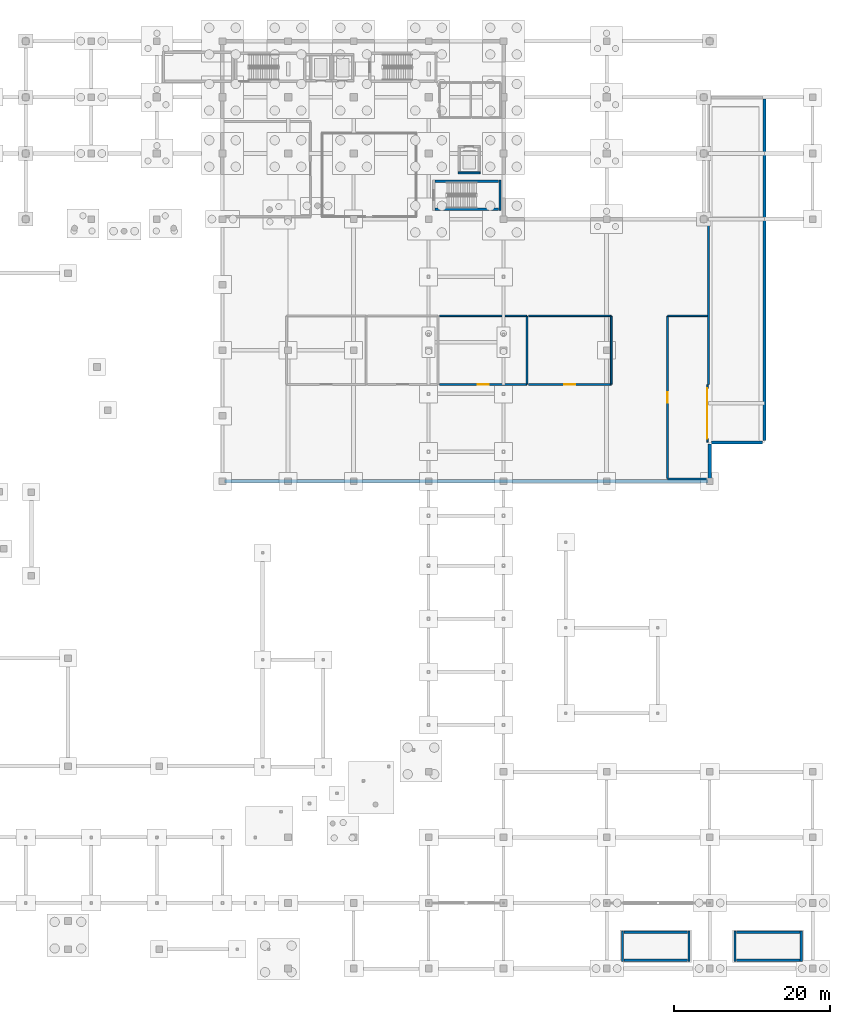
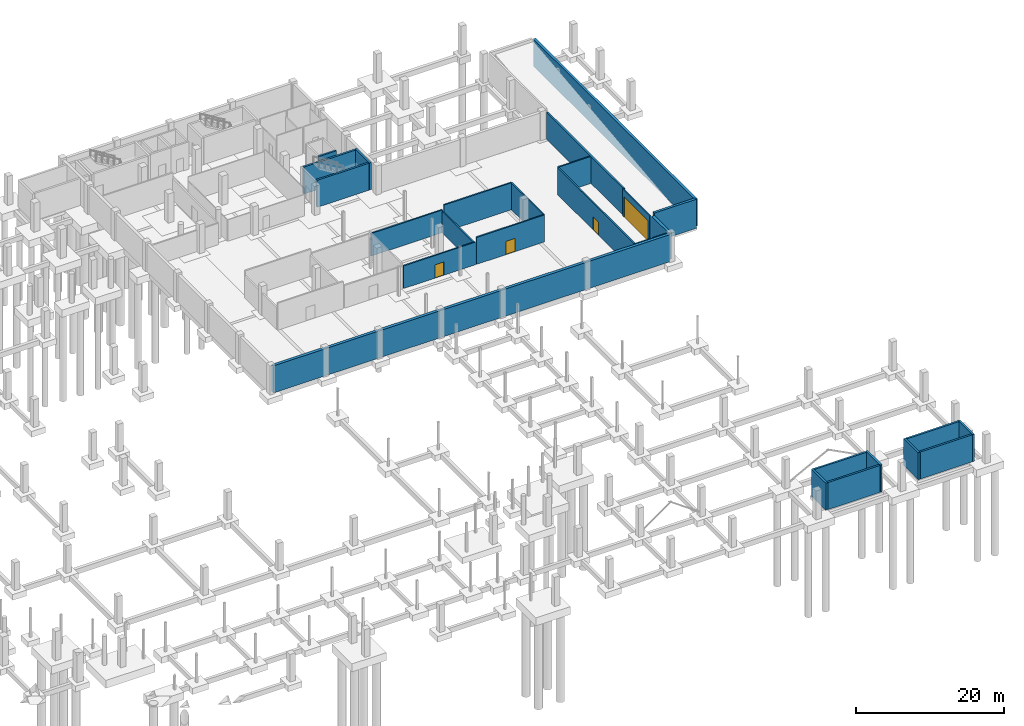
# One storey, part 37 of 44: 27 walls, 4 doors, 4 openings.
"""IFC4 building model written with IfcOpenShell, lengths in metres."""

from ifc_helpers import new_model, si_unit, direction, frame, frame_2d, origin, place, context, subcontext, project, spatial, rectangle, extrude, material, layer, layer_set, type_object, element, fill, save


model = new_model("IFC4")

# Units and contexts
model_context = context("Model", 3, precision=1e-05, world=origin(), true_north=direction((0.0, 1.0)))
body_context = subcontext(model_context, "Body", "Model", "MODEL_VIEW")
ifc_project = project(units=[si_unit("LENGTHUNIT", "METRE"), si_unit("AREAUNIT", "SQUARE_METRE"), si_unit("VOLUMEUNIT", "CUBIC_METRE"), si_unit("PLANEANGLEUNIT", "RADIAN"), si_unit("MASSUNIT", "GRAM", prefix="KILO")], contexts=[model_context])

# Site, building, storey
site_placement = place(None, origin())
site = spatial("IfcSite", under=ifc_project, at=site_placement, CompositionType="ELEMENT")
building_placement = place(site_placement, origin())
building = spatial("IfcBuilding", under=site, at=building_placement, Name="Kisaragi Civic Commons", CompositionType="ELEMENT")
storey_placement = place(building_placement, frame((0.0, 0.0, -4.800048828125)))
storey = spatial("IfcBuildingStorey", under=building, at=storey_placement, Name="B1", CompositionType="ELEMENT", Elevation=-4.800048828125)

# Wall, opening, door
ifc_material_1 = material(Name="Fire-rated double gypsum board on steel studs with mineral wool", Category="steel")
ifc_layer_1 = layer(ifc_material_1, 0.199951171875, Name="Fire-rated double gypsum board on steel studs with mineral wool", Category="steel")
ifc_layer_set_1 = layer_set([ifc_layer_1], Name="Fire-rated double gypsum board on steel studs with mineral wool")
wall_type_1 = type_object("IfcWallType", Name="FW-01", PredefinedType="STANDARD", material=ifc_layer_set_1)
wall_1_placement = place(storey_placement, frame((159.300048828125, 67.419921875, 0.0), z_axis=(0.0, 0.0, 1.0), x_axis=(0.0, 1.0, 0.0)))
wall_1 = element("IfcWall", 1, at=wall_1_placement, inside=storey, type_object=wall_type_1, Name="B1 car park vehicle entry portal fire wall", PredefinedType="STANDARD", context=body_context, shape_type="SweptSolid", body=[
    extrude(rectangle(XDim=7.360107421875, YDim=0.199951171875, at=frame_2d((3.68017578125, 0.0))), origin(), (0.0, 0.0, 1.0), 4.43505859375),
])
opening_1_placement = place(wall_1_placement, frame((0.429931640625, 0.0, 0.0)))
opening_1 = element("IfcOpeningElement", 2, at=opening_1_placement, cuts=wall_1, Name="Opening VG-01", PredefinedType="OPENING", context=body_context, shape_type="SweptSolid", body=[
    extrude(rectangle(XDim=6.5, YDim=3.39990234375, at=frame_2d((3.25, 1.699951171875))), frame((0.0, 0.10986328125, 0.0), z_axis=(0.0, -1.0, 0.0), x_axis=(1.0, 0.0, 0.0)), (0.0, 0.0, 1.0), 0.219970703125),
])
ifc_material_2 = material(Name="Galvanized steel insulated rolling shutter", Category="steel")
door_type_1 = type_object("IfcDoorType", Name="VG-01", OperationType="NOTDEFINED", PredefinedType="GATE", material=ifc_material_2)
door_1_placement = place(opening_1_placement, origin())
door_1 = element("IfcDoor", 3, at=door_1_placement, inside=storey, type_object=door_type_1, Name="B1 car park vehicle entry roller shutter gate VG-01", OperationType="ROLLINGUP", OverallHeight=3.39990234375, OverallWidth=6.5, PredefinedType="GATE", context=body_context, shape_type="SweptSolid", body=[
    extrude(rectangle(XDim=6.5, YDim=3.39990234375, at=frame_2d((3.25, 1.699951171875))), frame((0.0, 0.02490234375, 0.0), z_axis=(0.0, -1.0, 0.0), x_axis=(1.0, 0.0, 0.0)), (0.0, 0.0, 1.0), 0.050048828125),
])
fill(opening_1, door_1)

# Wall
ifc_layer_2 = layer(ifc_material_1, 0.218017578125, Name="Fire-rated double gypsum board on steel studs with mineral wool", Category="steel")
ifc_layer_set_2 = layer_set([ifc_layer_2], Name="Fire-rated double gypsum board on steel studs with mineral wool")
wall_type_2 = type_object("IfcWallType", Name="FW-03", PredefinedType="STANDARD", material=ifc_layer_set_2)
wall_2_placement = place(storey_placement, frame((136.199951171875, 83.52490234375, 0.0), z_axis=(0.0, 0.0, 1.0), x_axis=(0.0, -1.0, 0.0)))
element("IfcWall", 4, at=wall_2_placement, inside=storey, type_object=wall_type_2, Name="B1 B1-09 partition FW-03 22", PredefinedType="STANDARD", context=body_context, shape_type="SweptSolid", body=[
    extrude(rectangle(XDim=8.64990234375, YDim=0.218017578125, at=frame_2d((4.324951171875, 0.0))), origin(), (0.0, 0.0, 1.0), 3.5),
])

# Wall, opening, door
wall_3_placement = place(storey_placement, frame((136.195068359375, 74.800048828125, 0.0), z_axis=(0.0, 0.0, 1.0), x_axis=(-1.0, 0.0, 0.0)))
wall_3 = element("IfcWall", 5, at=wall_3_placement, inside=storey, type_object=wall_type_2, Name="B1 B1-09 partition FW-03 23", PredefinedType="STANDARD", context=body_context, shape_type="SweptSolid", body=[
    extrude(rectangle(XDim=11.190185546875, YDim=0.218017578125, at=frame_2d((5.59521484375, 0.0))), origin(), (0.0, 0.0, 1.0), 3.735107421875),
])
opening_2_placement = place(wall_3_placement, frame((4.89501953125, 0.0, 0.0)))
opening_2 = element("IfcOpeningElement", 6, at=opening_2_placement, cuts=wall_3, Name="Opening FD-02", PredefinedType="OPENING", context=body_context, shape_type="SweptSolid", body=[
    extrude(rectangle(XDim=1.39990234375, YDim=2.199951171875, at=frame_2d((0.699951171875, 1.10009765625))), frame((0.0, 0.118896484375, 0.0), z_axis=(0.0, -1.0, 0.0), x_axis=(1.0, 0.0, 0.0)), (0.0, 0.0, 1.0), 0.238037109375),
])
ifc_material_3 = material(Name="Insulated fire-rated pressed steel door assembly", Category="steel")
door_type_2 = type_object("IfcDoorType", Name="FD-02", OperationType="NOTDEFINED", PredefinedType="DOOR", material=ifc_material_3)
door_2_placement = place(opening_2_placement, origin())
door_2 = element("IfcDoor", 7, at=door_2_placement, inside=storey, type_object=door_type_2, Name="Mechanical HVAC Plant Room door FD-02", OperationType="DOUBLE_DOOR_SINGLE_SWING", OverallHeight=2.199951171875, OverallWidth=1.39990234375, PredefinedType="DOOR", context=body_context, shape_type="SweptSolid", body=[
    extrude(rectangle(XDim=1.39990234375, YDim=2.199951171875, at=frame_2d((0.699951171875, 1.10009765625))), frame((0.0, 0.02490234375, 0.0), z_axis=(0.0, -1.0, 0.0), x_axis=(1.0, 0.0, 0.0)), (0.0, 0.0, 1.0), 0.050048828125),
])
fill(opening_2, door_2)

# Walls
wall_4_placement = place(storey_placement, frame((125.0048828125, 83.60009765625, 0.0), z_axis=(0.0, 0.0, 1.0), x_axis=(1.0, 0.0, 0.0)))
element("IfcWall", 8, at=wall_4_placement, inside=storey, type_object=wall_type_2, Name="B1 B1-09 partition FW-03 24", PredefinedType="STANDARD", context=body_context, shape_type="SweptSolid", body=[
    extrude(rectangle(XDim=11.190185546875, YDim=0.218017578125, at=frame_2d((5.59521484375, 0.0))), origin(), (0.0, 0.0, 1.0), 3.735107421875),
])
wall_5_placement = place(storey_placement, frame((147.0, 83.52490234375, 0.0), z_axis=(0.0, 0.0, 1.0), x_axis=(0.0, -1.0, 0.0)))
element("IfcWall", 9, at=wall_5_placement, inside=storey, type_object=wall_type_2, Name="B1 B1-10 partition FW-03 25", PredefinedType="STANDARD", context=body_context, shape_type="SweptSolid", body=[
    extrude(rectangle(XDim=8.64990234375, YDim=0.218017578125, at=frame_2d((4.324951171875, 0.0))), origin(), (0.0, 0.0, 1.0), 4.449951171875),
])

# Wall, opening, door
wall_6_placement = place(storey_placement, frame((146.9951171875, 74.800048828125, 0.0), z_axis=(0.0, 0.0, 1.0), x_axis=(-1.0, 0.0, 0.0)))
wall_6 = element("IfcWall", 10, at=wall_6_placement, inside=storey, type_object=wall_type_2, Name="B1 B1-10 partition FW-03 26", PredefinedType="STANDARD", context=body_context, shape_type="SweptSolid", body=[
    extrude(rectangle(XDim=10.590087890625, YDim=0.218017578125, at=frame_2d((5.294921875, 0.0))), origin(), (0.0, 0.0, 1.0), 4.449951171875),
])
opening_3_placement = place(wall_6_placement, frame((4.594970703125, 0.0, 0.0)))
opening_3 = element("IfcOpeningElement", 11, at=opening_3_placement, cuts=wall_6, Name="Opening FD-02", PredefinedType="OPENING", context=body_context, shape_type="SweptSolid", body=[
    extrude(rectangle(XDim=1.39990234375, YDim=2.199951171875, at=frame_2d((0.699951171875, 1.10009765625))), frame((0.0, 0.118896484375, 0.0), z_axis=(0.0, -1.0, 0.0), x_axis=(1.0, 0.0, 0.0)), (0.0, 0.0, 1.0), 0.238037109375),
])
door_3_placement = place(opening_3_placement, origin())
door_3 = element("IfcDoor", 12, at=door_3_placement, inside=storey, type_object=door_type_2, Name="Potable and Fire Water Tank Room door FD-02", OperationType="DOUBLE_DOOR_SINGLE_SWING", OverallHeight=2.199951171875, OverallWidth=1.39990234375, PredefinedType="DOOR", context=body_context, shape_type="SweptSolid", body=[
    extrude(rectangle(XDim=1.39990234375, YDim=2.199951171875, at=frame_2d((0.699951171875, 1.10009765625))), frame((0.0, 0.02490234375, 0.0), z_axis=(0.0, -1.0, 0.0), x_axis=(1.0, 0.0, 0.0)), (0.0, 0.0, 1.0), 0.050048828125),
])
fill(opening_3, door_3)

# Walls
wall_7_placement = place(storey_placement, frame((136.405029296875, 83.60009765625, 0.0), z_axis=(0.0, 0.0, 1.0), x_axis=(1.0, 0.0, 0.0)))
element("IfcWall", 13, at=wall_7_placement, inside=storey, type_object=wall_type_2, Name="B1 B1-10 partition FW-03 27", PredefinedType="STANDARD", context=body_context, shape_type="SweptSolid", body=[
    extrude(rectangle(XDim=10.590087890625, YDim=0.218017578125, at=frame_2d((5.294921875, 0.0))), origin(), (0.0, 0.0, 1.0), 4.449951171875),
])
wall_8_placement = place(storey_placement, frame((159.294921875, 62.699951171875, 0.0), z_axis=(0.0, 0.0, 1.0), x_axis=(-1.0, 0.0, 0.0)))
element("IfcWall", 14, at=wall_8_placement, inside=storey, type_object=wall_type_2, Name="B1 B1-11 partition FW-03 28", PredefinedType="STANDARD", context=body_context, shape_type="SweptSolid", body=[
    extrude(rectangle(XDim=5.08984375, YDim=0.218017578125, at=frame_2d((2.544921875, 0.0))), origin(), (0.0, 0.0, 1.0), 4.449951171875),
])

# Wall, opening, door
wall_9_placement = place(storey_placement, frame((154.199951171875, 62.77490234375, 0.0), z_axis=(0.0, 0.0, 1.0), x_axis=(0.0, 1.0, 0.0)))
wall_9 = element("IfcWall", 15, at=wall_9_placement, inside=storey, type_object=wall_type_2, Name="B1 B1-11 partition FW-03 29", PredefinedType="STANDARD", context=body_context, shape_type="SweptSolid", body=[
    extrude(rectangle(XDim=20.75, YDim=0.218017578125, at=frame_2d((10.375, 0.0))), origin(), (0.0, 0.0, 1.0), 4.449951171875),
])
opening_4_placement = place(wall_9_placement, frame((9.675048828125, 0.0, 0.0)))
opening_4 = element("IfcOpeningElement", 16, at=opening_4_placement, cuts=wall_9, Name="Opening FD-02", PredefinedType="OPENING", context=body_context, shape_type="SweptSolid", body=[
    extrude(rectangle(XDim=1.39990234375, YDim=2.199951171875, at=frame_2d((0.699951171875, 1.10009765625))), frame((0.0, 0.118896484375, 0.0), z_axis=(0.0, -1.0, 0.0), x_axis=(1.0, 0.0, 0.0)), (0.0, 0.0, 1.0), 0.238037109375),
])
door_4_placement = place(opening_4_placement, origin())
door_4 = element("IfcDoor", 17, at=door_4_placement, inside=storey, type_object=door_type_2, Name="Stormwater Retention Tank Room door FD-02", OperationType="DOUBLE_DOOR_SINGLE_SWING", OverallHeight=2.199951171875, OverallWidth=1.39990234375, PredefinedType="DOOR", context=body_context, shape_type="SweptSolid", body=[
    extrude(rectangle(XDim=1.39990234375, YDim=2.199951171875, at=frame_2d((0.699951171875, 1.10009765625))), frame((0.0, 0.02490234375, 0.0), z_axis=(0.0, -1.0, 0.0), x_axis=(1.0, 0.0, 0.0)), (0.0, 0.0, 1.0), 0.050048828125),
])
fill(opening_4, door_4)

# Walls
wall_10_placement = place(storey_placement, frame((154.205078125, 83.60009765625, 0.0), z_axis=(0.0, 0.0, 1.0), x_axis=(1.0, 0.0, 0.0)))
element("IfcWall", 18, at=wall_10_placement, inside=storey, type_object=wall_type_2, Name="B1 B1-11 partition FW-03 30", PredefinedType="STANDARD", context=body_context, shape_type="SweptSolid", body=[
    extrude(rectangle(XDim=5.10693359375, YDim=0.218017578125, at=frame_2d((2.553466796875, 0.0))), origin(), (0.0, 0.0, 1.0), 4.449951171875),
])
ifc_material_4 = material(Name="Concrete Fc30", Category="concrete")
ifc_layer_3 = layer(ifc_material_4, 0.449951171875, Name="Concrete Fc30", Category="concrete")
ifc_layer_set_3 = layer_set([ifc_layer_3], Name="Concrete Fc30")
wall_type_3 = type_object("IfcWallType", Name="RW-01", PredefinedType="USERDEFINED", material=ifc_layer_set_3)
wall_11_placement = place(storey_placement, frame((159.60009765625, 67.159912109375, 0.0), z_axis=(0.0, 0.0, 1.0), x_axis=(0.0, -1.0, 0.0)))
element("IfcWall", 19, at=wall_11_placement, inside=storey, type_object=wall_type_3, Name="B1 retaining wall RW-01 8", ObjectType="RETAININGWALL", PredefinedType="USERDEFINED", context=body_context, shape_type="SweptSolid", body=[
    extrude(rectangle(XDim=4.52001953125, YDim=0.449951171875, at=frame_2d((2.260009765625, 0.0))), origin(), (0.0, 0.0, 1.0), 4.469970703125),
])
wall_12_placement = place(storey_placement, frame((159.360107421875, 62.39990234375, 0.0), z_axis=(0.0, 0.0, 1.0), x_axis=(-1.0, 0.0, 0.0)))
element("IfcWall", 20, at=wall_12_placement, inside=storey, type_object=wall_type_3, Name="B1 retaining wall RW-01 9", ObjectType="RETAININGWALL", PredefinedType="USERDEFINED", context=body_context, shape_type="SweptSolid", body=[
    extrude(rectangle(XDim=61.920166015625, YDim=0.449951171875, at=frame_2d((30.9599609375, 0.0))), origin(), (0.0, 0.0, 1.0), 4.469970703125),
])
ifc_layer_4 = layer(ifc_material_4, 0.3798828125, Name="Concrete Fc30", Category="concrete")
ifc_layer_set_4 = layer_set([ifc_layer_4], Name="Concrete Fc30")
wall_type_4 = type_object("IfcWallType", Name="RW-02", PredefinedType="USERDEFINED", material=ifc_layer_set_4)
wall_13_placement = place(storey_placement, frame((166.60009765625, 111.360107421875, 0.0), z_axis=(0.0, 0.0, 1.0), x_axis=(0.0, -1.0, 0.0)))
element("IfcWall", 21, at=wall_13_placement, inside=storey, type_object=wall_type_4, Name="B1 retaining wall RW-02 6", ObjectType="RETAININGWALL", PredefinedType="USERDEFINED", context=body_context, shape_type="SweptSolid", body=[
    extrude(rectangle(XDim=43.72021484375, YDim=0.3798828125, at=frame_2d((21.860107421875, 0.0))), origin(), (0.0, 0.0, 1.0), 4.469970703125),
])
wall_14_placement = place(storey_placement, frame((166.360107421875, 67.39990234375, 0.0), z_axis=(0.0, 0.0, 1.0), x_axis=(-1.0, 0.0, 0.0)))
element("IfcWall", 22, at=wall_14_placement, inside=storey, type_object=wall_type_4, Name="B1 retaining wall RW-02 7", ObjectType="RETAININGWALL", PredefinedType="USERDEFINED", context=body_context, shape_type="SweptSolid", body=[
    extrude(rectangle(XDim=6.52001953125, YDim=0.3798828125, at=frame_2d((3.260009765625, 0.0))), origin(), (0.0, 0.0, 1.0), 4.800048828125),
])
ifc_material_5 = material(Name="Concrete Fc36", Category="concrete")
ifc_layer_5 = layer(ifc_material_5, 0.300048828125, Name="Concrete Fc36", Category="concrete")
ifc_layer_set_5 = layer_set([ifc_layer_5], Name="Concrete Fc36")
wall_type_5 = type_object("IfcWallType", Name="SW-01", PredefinedType="SHEAR", material=ifc_layer_set_5)
wall_15_placement = place(storey_placement, frame((124.449951171875, 97.25, 0.0), z_axis=(0.0, 0.0, 1.0), x_axis=(1.0, 0.0, 0.0)))
element("IfcWall", 23, at=wall_15_placement, inside=storey, type_object=wall_type_5, Name="ST-L3 B1 right RC shear wall", PredefinedType="SHEAR", context=body_context, shape_type="SweptSolid", body=[
    extrude(rectangle(XDim=8.10009765625, YDim=0.300048828125, at=frame_2d((4.050048828125, 0.0))), origin(), (0.0, 0.0, 1.0), 4.4599609375),
])
wall_16_placement = place(storey_placement, frame((132.75, 97.10009765625, 0.0), z_axis=(0.0, 0.0, 1.0), x_axis=(0.0, 1.0, 0.0)))
element("IfcWall", 24, at=wall_16_placement, inside=storey, type_object=wall_type_5, Name="ST-L3 B1 far RC shear wall", PredefinedType="SHEAR", context=body_context, shape_type="SweptSolid", body=[
    extrude(rectangle(XDim=3.89990234375, YDim=0.300048828125, at=frame_2d((1.949951171875, 0.0))), origin(), (0.0, 0.0, 1.0), 4.4599609375),
])
wall_17_placement = place(storey_placement, frame((132.550048828125, 100.85009765625, 0.0), z_axis=(0.0, 0.0, 1.0), x_axis=(-1.0, 0.0, 0.0)))
element("IfcWall", 25, at=wall_17_placement, inside=storey, type_object=wall_type_5, Name="ST-L3 B1 left RC shear wall", PredefinedType="SHEAR", context=body_context, shape_type="SweptSolid", body=[
    extrude(rectangle(XDim=8.10009765625, YDim=0.300048828125, at=frame_2d((4.050048828125, 0.0))), origin(), (0.0, 0.0, 1.0), 4.4599609375),
])
wall_18_placement = place(storey_placement, frame((148.449951171875, 4.800048828125, 0.0), z_axis=(0.0, 0.0, 1.0), x_axis=(0.0, -1.0, 0.0)))
element("IfcWall", 26, at=wall_18_placement, inside=storey, type_object=wall_type_5, Name="ST-D1 B1 entry RC shear wall", PredefinedType="SHEAR", context=body_context, shape_type="SweptSolid", body=[
    extrude(rectangle(XDim=3.900146484375, YDim=0.300048828125, at=frame_2d((1.9501953125, 0.0))), origin(), (0.0, 0.0, 1.0), 4.4599609375),
])
wall_19_placement = place(storey_placement, frame((148.64990234375, 1.050048828125, 0.0), z_axis=(0.0, 0.0, 1.0), x_axis=(1.0, 0.0, 0.0)))
element("IfcWall", 27, at=wall_19_placement, inside=storey, type_object=wall_type_5, Name="ST-D1 B1 right RC shear wall", PredefinedType="SHEAR", context=body_context, shape_type="SweptSolid", body=[
    extrude(rectangle(XDim=8.10009765625, YDim=0.300048828125, at=frame_2d((4.050048828125, 0.0))), origin(), (0.0, 0.0, 1.0), 4.4599609375),
])
wall_20_placement = place(storey_placement, frame((156.949951171875, 0.89990234375, 0.0), z_axis=(0.0, 0.0, 1.0), x_axis=(0.0, 1.0, 0.0)))
element("IfcWall", 28, at=wall_20_placement, inside=storey, type_object=wall_type_5, Name="ST-D1 B1 far RC shear wall", PredefinedType="SHEAR", context=body_context, shape_type="SweptSolid", body=[
    extrude(rectangle(XDim=3.900146484375, YDim=0.300048828125, at=frame_2d((1.9501953125, 0.0))), origin(), (0.0, 0.0, 1.0), 4.4599609375),
])
wall_21_placement = place(storey_placement, frame((156.75, 4.64990234375, 0.0), z_axis=(0.0, 0.0, 1.0), x_axis=(-1.0, 0.0, 0.0)))
element("IfcWall", 29, at=wall_21_placement, inside=storey, type_object=wall_type_5, Name="ST-D1 B1 left RC shear wall", PredefinedType="SHEAR", context=body_context, shape_type="SweptSolid", body=[
    extrude(rectangle(XDim=8.10009765625, YDim=0.300048828125, at=frame_2d((4.050048828125, 0.0))), origin(), (0.0, 0.0, 1.0), 4.4599609375),
])
wall_22_placement = place(storey_placement, frame((162.85009765625, 4.800048828125, 0.0), z_axis=(0.0, 0.0, 1.0), x_axis=(0.0, -1.0, 0.0)))
element("IfcWall", 30, at=wall_22_placement, inside=storey, type_object=wall_type_5, Name="ST-D2 B1 entry RC shear wall", PredefinedType="SHEAR", context=body_context, shape_type="SweptSolid", body=[
    extrude(rectangle(XDim=3.900146484375, YDim=0.300048828125, at=frame_2d((1.9501953125, 0.0))), origin(), (0.0, 0.0, 1.0), 4.4599609375),
])
wall_23_placement = place(storey_placement, frame((163.050048828125, 1.050048828125, 0.0), z_axis=(0.0, 0.0, 1.0), x_axis=(1.0, 0.0, 0.0)))
element("IfcWall", 31, at=wall_23_placement, inside=storey, type_object=wall_type_5, Name="ST-D2 B1 right RC shear wall", PredefinedType="SHEAR", context=body_context, shape_type="SweptSolid", body=[
    extrude(rectangle(XDim=8.099853515625, YDim=0.300048828125, at=frame_2d((4.0498046875, 0.0))), origin(), (0.0, 0.0, 1.0), 4.4599609375),
])
wall_24_placement = place(storey_placement, frame((171.35009765625, 0.89990234375, 0.0), z_axis=(0.0, 0.0, 1.0), x_axis=(0.0, 1.0, 0.0)))
element("IfcWall", 32, at=wall_24_placement, inside=storey, type_object=wall_type_5, Name="ST-D2 B1 far RC shear wall", PredefinedType="SHEAR", context=body_context, shape_type="SweptSolid", body=[
    extrude(rectangle(XDim=3.900146484375, YDim=0.300048828125, at=frame_2d((1.9501953125, 0.0))), origin(), (0.0, 0.0, 1.0), 4.4599609375),
])
wall_25_placement = place(storey_placement, frame((171.14990234375, 4.64990234375, 0.0), z_axis=(0.0, 0.0, 1.0), x_axis=(-1.0, 0.0, 0.0)))
element("IfcWall", 33, at=wall_25_placement, inside=storey, type_object=wall_type_5, Name="ST-D2 B1 left RC shear wall", PredefinedType="SHEAR", context=body_context, shape_type="SweptSolid", body=[
    extrude(rectangle(XDim=8.099853515625, YDim=0.300048828125, at=frame_2d((4.0498046875, 0.0))), origin(), (0.0, 0.0, 1.0), 4.4599609375),
])
ifc_layer_6 = layer(ifc_material_5, 0.25, Name="Concrete Fc36", Category="concrete")
ifc_layer_set_6 = layer_set([ifc_layer_6], Name="Concrete Fc36")
wall_type_6 = type_object("IfcWallType", Name="SW-02", PredefinedType="SHEAR", material=ifc_layer_set_6)
wall_26_placement = place(storey_placement, frame((130.199951171875, 101.925048828125, 0.0), z_axis=(0.0, 0.0, 1.0), x_axis=(-1.0, 0.0, 0.0)))
element("IfcWall", 34, at=wall_26_placement, inside=storey, type_object=wall_type_6, Name="EL-L3 B1 south lift shaft wall", PredefinedType="SHEAR", context=body_context, shape_type="SweptSolid", body=[
    extrude(rectangle(XDim=2.800048828125, YDim=0.25, at=frame_2d((1.39990234375, 0.0))), origin(), (0.0, 0.0, 1.0), 4.5),
])
ifc_layer_7 = layer(ifc_material_4, 0.280029296875, Name="Concrete Fc30", Category="concrete")
ifc_layer_set_7 = layer_set([ifc_layer_7], Name="Concrete Fc30")
wall_type_7 = type_object("IfcWallType", Name="SW-03", PredefinedType="SHEAR", material=ifc_layer_set_7)
wall_27_placement = place(storey_placement, frame((159.4599609375, 74.820068359375, 0.0), z_axis=(0.0, 0.0, 1.0), x_axis=(0.0, 1.0, 0.0)))
element("IfcWall", 35, at=wall_27_placement, inside=storey, type_object=wall_type_7, Name="B1 vehicle ramp west cheek shear wall", PredefinedType="SHEAR", context=body_context, shape_type="SweptSolid", body=[
    extrude(rectangle(XDim=20.72998046875, YDim=0.280029296875, at=frame_2d((10.364990234375, 0.0))), origin(), (0.0, 0.0, 1.0), 4.43505859375),
])

save(model, "model.ifc")
